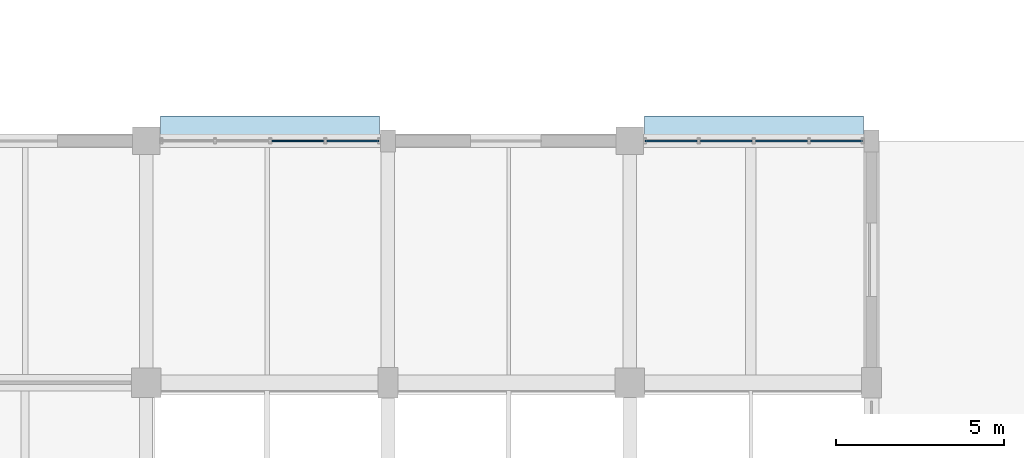
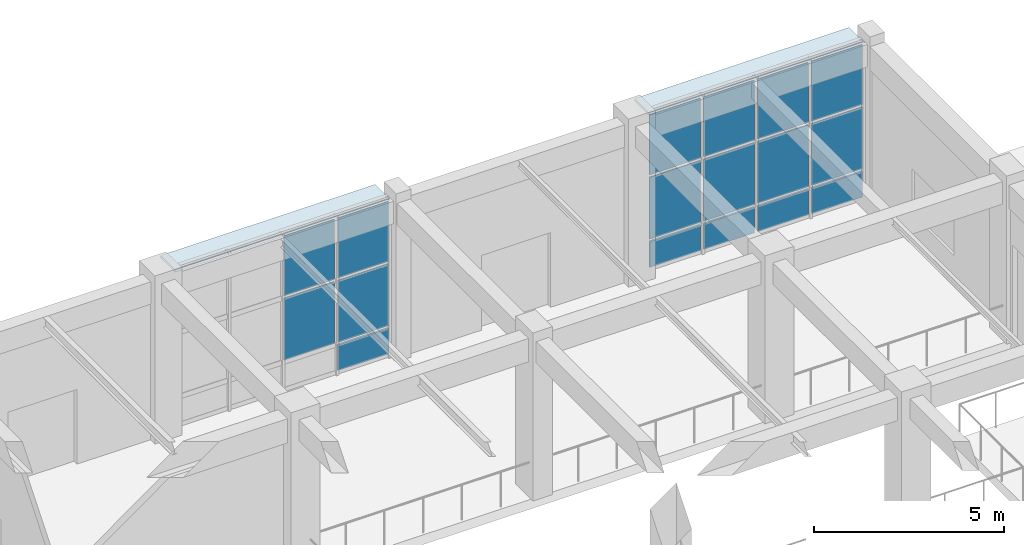
# One storey, part 132 of 160: 19 plates, 2 elements without a shape of their own.
"""IFC4 building model written with IfcOpenShell, lengths in metres."""

from ifc_helpers import new_model, si_unit, direction, frame, origin, origin_2d, place, context, subcontext, project, spatial, rectangle, extrude, material, layer, layer_set, type_object, element, aggregate, save


model = new_model("IFC4")

# Units and contexts
model_context = context("Model", 3, precision=1e-05, world=origin(), true_north=direction((0.0, 1.0)))
body_context = subcontext(model_context, "Body", "Model", "MODEL_VIEW")
ifc_project = project(units=[si_unit("LENGTHUNIT", "METRE"), si_unit("AREAUNIT", "SQUARE_METRE"), si_unit("VOLUMEUNIT", "CUBIC_METRE"), si_unit("PLANEANGLEUNIT", "RADIAN"), si_unit("MASSUNIT", "GRAM", prefix="KILO")], contexts=[model_context])

# Site, building, storey
site_placement = place(None, origin())
site = spatial("IfcSite", under=ifc_project, at=site_placement, CompositionType="ELEMENT")
building_placement = place(site_placement, origin())
building = spatial("IfcBuilding", under=site, at=building_placement, Name="Thalmaran Polytechnic", CompositionType="ELEMENT")
storey_placement = place(building_placement, origin())
storey = spatial("IfcBuildingStorey", under=building, at=storey_placement, Name="L00", CompositionType="ELEMENT", Elevation=0.0)

# Plates
ifc_material_1 = material(Name="Anodised aluminium sun-hood eyebrow", Category="aluminium")
ifc_layer_1 = layer(ifc_material_1, 0.0849609375, Name="Anodised aluminium sun-hood eyebrow")
ifc_layer_set_1 = layer_set([ifc_layer_1], Name="Anodised aluminium sun-hood eyebrow")
plate_type_1 = type_object("IfcPlateType", Name="PT-EB01", PredefinedType="SHEET", material=ifc_layer_set_1)
for number, where, z_axis, x_axis, name in (
    (1, (154.892578125, 122.760009765625, 4.987548828125), (0.0, 0.0, 1.0), (1.0, 0.0, 0.0), "Streamline Sun-Hood Eyebrow L00-CW012"),
    (2, (169.29248046875, 122.760009765625, 4.987548828125), (0.0, 0.0, 1.0), (1.0, 0.0, 0.0), "Streamline Sun-Hood Eyebrow L00-CW013"),
):
    element("IfcPlate", number, at=place(storey_placement, frame(where, z_axis=z_axis, x_axis=x_axis)), inside=storey, type_object=plate_type_1, Name=name, PredefinedType="SHEET", context=body_context, shape_type="SweptSolid", body=[
        extrude(rectangle(XDim=6.52490234375, YDim=0.760009765625, at=origin_2d()), origin(), (0.0, 0.0, 1.0), 0.0849609375),
    ])

# Curtain wall, plates
ifc_material_2 = material(Name="Aluminium 6063-T6", Category="aluminium")
curtain_wall_type = type_object("IfcCurtainWallType", Name="CW-UC01", PredefinedType="USERDEFINED", material=ifc_material_2)
curtain_wall_1_placement = place(storey_placement, origin())
curtain_wall_1 = element("IfcCurtainWall", 3, at=curtain_wall_1_placement, inside=storey, type_object=curtain_wall_type, Name="Curtain Wall CW-L00-012", ObjectType="UNITISED CURTAIN WALL", PredefinedType="USERDEFINED")
ifc_material_3 = material(Name="Solar-control double low-E glass", Category="glass")
ifc_layer_2 = layer(ifc_material_3, 0.035888671875, Name="Solar-control double low-E glass")
ifc_layer_set_2 = layer_set([ifc_layer_2], Name="Solar-control double low-E glass")
plate_type_2 = type_object("IfcPlateType", Name="PT-GL03", PredefinedType="CURTAIN_PANEL", material=ifc_layer_set_2)
plate_1_placement = place(storey_placement, frame((155.713134765625, 122.39990234375, 1.0), z_axis=(0.0, 0.0, 1.0), x_axis=(1.0, 0.0, 0.0)))
plate_1 = element("IfcPlate", 4, at=plate_1_placement, type_object=plate_type_2, Name="CW-L00-012 Vision Panel 3-2", PredefinedType="CURTAIN_PANEL", context=body_context, shape_type="SweptSolid", body=[
    extrude(rectangle(XDim=1.541259765625, YDim=0.035888671875, at=origin_2d()), origin(), (0.0, 0.0, 1.0), 1.985107421875),
])
plate_2_placement = place(storey_placement, frame((155.713134765625, 122.39990234375, 3.06494140625), z_axis=(0.0, 0.0, 1.0), x_axis=(1.0, 0.0, 0.0)))
plate_2 = element("IfcPlate", 5, at=plate_2_placement, type_object=plate_type_2, Name="CW-L00-012 Vision Panel 3-3", PredefinedType="CURTAIN_PANEL", context=body_context, shape_type="SweptSolid", body=[
    extrude(rectangle(XDim=1.541259765625, YDim=0.035888671875, at=origin_2d()), origin(), (0.0, 0.0, 1.0), 1.925048828125),
])
plate_3_placement = place(storey_placement, frame((157.3544921875, 122.39990234375, 1.0), z_axis=(0.0, 0.0, 1.0), x_axis=(1.0, 0.0, 0.0)))
plate_3 = element("IfcPlate", 6, at=plate_3_placement, type_object=plate_type_2, Name="CW-L00-012 Vision Panel 4-2", PredefinedType="CURTAIN_PANEL", context=body_context, shape_type="SweptSolid", body=[
    extrude(rectangle(XDim=1.541259765625, YDim=0.035888671875, at=origin_2d()), origin(), (0.0, 0.0, 1.0), 1.985107421875),
])
plate_4_placement = place(storey_placement, frame((157.3544921875, 122.39990234375, 3.06494140625), z_axis=(0.0, 0.0, 1.0), x_axis=(1.0, 0.0, 0.0)))
plate_4 = element("IfcPlate", 7, at=plate_4_placement, type_object=plate_type_2, Name="CW-L00-012 Vision Panel 4-3", PredefinedType="CURTAIN_PANEL", context=body_context, shape_type="SweptSolid", body=[
    extrude(rectangle(XDim=1.541259765625, YDim=0.035888671875, at=origin_2d()), origin(), (0.0, 0.0, 1.0), 1.925048828125),
])

curtain_wall_2_placement = place(storey_placement, origin())
curtain_wall_2 = element("IfcCurtainWall", 8, at=curtain_wall_2_placement, inside=storey, type_object=curtain_wall_type, Name="Curtain Wall CW-L00-013", ObjectType="UNITISED CURTAIN WALL", PredefinedType="USERDEFINED")
ifc_layer_3 = layer(ifc_material_3, 0.035888671875, Name="Solar-control double low-E glass")
ifc_layer_set_3 = layer_set([ifc_layer_3], Name="Solar-control double low-E glass")
plate_type_3 = type_object("IfcPlateType", Name="PT-GL04", PredefinedType="CURTAIN_PANEL", material=ifc_layer_set_3)
plate_5_placement = place(storey_placement, frame((166.83056640625, 122.39990234375, 1.0), z_axis=(0.0, 0.0, 1.0), x_axis=(1.0, 0.0, 0.0)))
plate_5 = element("IfcPlate", 9, at=plate_5_placement, type_object=plate_type_3, Name="CW-L00-013 Vision Panel 1-2", PredefinedType="CURTAIN_PANEL", context=body_context, shape_type="SweptSolid", body=[
    extrude(rectangle(XDim=1.541259765625, YDim=0.035888671875, at=origin_2d()), origin(), (0.0, 0.0, 1.0), 1.985107421875),
])
plate_6_placement = place(storey_placement, frame((166.83056640625, 122.39990234375, 3.06494140625), z_axis=(0.0, 0.0, 1.0), x_axis=(1.0, 0.0, 0.0)))
plate_6 = element("IfcPlate", 10, at=plate_6_placement, type_object=plate_type_3, Name="CW-L00-013 Vision Panel 1-3", PredefinedType="CURTAIN_PANEL", context=body_context, shape_type="SweptSolid", body=[
    extrude(rectangle(XDim=1.541259765625, YDim=0.035888671875, at=origin_2d()), origin(), (0.0, 0.0, 1.0), 1.925048828125),
])
plate_7_placement = place(storey_placement, frame((168.471923828125, 122.39990234375, 1.0), z_axis=(0.0, 0.0, 1.0), x_axis=(1.0, 0.0, 0.0)))
plate_7 = element("IfcPlate", 11, at=plate_7_placement, type_object=plate_type_3, Name="CW-L00-013 Vision Panel 2-2", PredefinedType="CURTAIN_PANEL", context=body_context, shape_type="SweptSolid", body=[
    extrude(rectangle(XDim=1.541259765625, YDim=0.035888671875, at=origin_2d()), origin(), (0.0, 0.0, 1.0), 1.985107421875),
])
plate_8_placement = place(storey_placement, frame((168.471923828125, 122.39990234375, 3.06494140625), z_axis=(0.0, 0.0, 1.0), x_axis=(1.0, 0.0, 0.0)))
plate_8 = element("IfcPlate", 12, at=plate_8_placement, type_object=plate_type_3, Name="CW-L00-013 Vision Panel 2-3", PredefinedType="CURTAIN_PANEL", context=body_context, shape_type="SweptSolid", body=[
    extrude(rectangle(XDim=1.541259765625, YDim=0.035888671875, at=origin_2d()), origin(), (0.0, 0.0, 1.0), 1.925048828125),
])
plate_9_placement = place(storey_placement, frame((170.113037109375, 122.39990234375, 1.0), z_axis=(0.0, 0.0, 1.0), x_axis=(1.0, 0.0, 0.0)))
plate_9 = element("IfcPlate", 13, at=plate_9_placement, type_object=plate_type_3, Name="CW-L00-013 Vision Panel 3-2", PredefinedType="CURTAIN_PANEL", context=body_context, shape_type="SweptSolid", body=[
    extrude(rectangle(XDim=1.541259765625, YDim=0.035888671875, at=origin_2d()), origin(), (0.0, 0.0, 1.0), 1.985107421875),
])
plate_10_placement = place(storey_placement, frame((170.113037109375, 122.39990234375, 3.06494140625), z_axis=(0.0, 0.0, 1.0), x_axis=(1.0, 0.0, 0.0)))
plate_10 = element("IfcPlate", 14, at=plate_10_placement, type_object=plate_type_3, Name="CW-L00-013 Vision Panel 3-3", PredefinedType="CURTAIN_PANEL", context=body_context, shape_type="SweptSolid", body=[
    extrude(rectangle(XDim=1.541259765625, YDim=0.035888671875, at=origin_2d()), origin(), (0.0, 0.0, 1.0), 1.925048828125),
])
plate_11_placement = place(storey_placement, frame((171.75439453125, 122.39990234375, 1.0), z_axis=(0.0, 0.0, 1.0), x_axis=(1.0, 0.0, 0.0)))
plate_11 = element("IfcPlate", 15, at=plate_11_placement, type_object=plate_type_3, Name="CW-L00-013 Vision Panel 4-2", PredefinedType="CURTAIN_PANEL", context=body_context, shape_type="SweptSolid", body=[
    extrude(rectangle(XDim=1.541259765625, YDim=0.035888671875, at=origin_2d()), origin(), (0.0, 0.0, 1.0), 1.985107421875),
])
plate_12_placement = place(storey_placement, frame((171.75439453125, 122.39990234375, 3.06494140625), z_axis=(0.0, 0.0, 1.0), x_axis=(1.0, 0.0, 0.0)))
plate_12 = element("IfcPlate", 16, at=plate_12_placement, type_object=plate_type_3, Name="CW-L00-013 Vision Panel 4-3", PredefinedType="CURTAIN_PANEL", context=body_context, shape_type="SweptSolid", body=[
    extrude(rectangle(XDim=1.541259765625, YDim=0.035888671875, at=origin_2d()), origin(), (0.0, 0.0, 1.0), 1.925048828125),
])

# Plate
ifc_material_4 = material(Name="Insulated anodised aluminium spandrel", Category="aluminium")
ifc_layer_4 = layer(ifc_material_4, 0.06005859375, Name="Insulated anodised aluminium spandrel")
ifc_layer_set_4 = layer_set([ifc_layer_4], Name="Insulated anodised aluminium spandrel")
plate_type_4 = type_object("IfcPlateType", Name="PT-SP01", PredefinedType="CURTAIN_PANEL", material=ifc_layer_set_4)
plate_13_placement = place(storey_placement, frame((157.3544921875, 122.39990234375, 0.10009765625), z_axis=(0.0, 0.0, 1.0), x_axis=(1.0, 0.0, 0.0)))
plate_13 = element("IfcPlate", 17, at=plate_13_placement, type_object=plate_type_4, Name="CW-L00-012 Spandrel Panel 4-1", PredefinedType="CURTAIN_PANEL", context=body_context, shape_type="SweptSolid", body=[
    extrude(rectangle(XDim=1.541259765625, YDim=0.06005859375, at=origin_2d()), origin(), (0.0, 0.0, 1.0), 0.820068359375),
])

aggregate(curtain_wall_1, [plate_1, plate_2, plate_13, plate_3, plate_4])

ifc_layer_5 = layer(ifc_material_4, 0.06005859375, Name="Insulated anodised aluminium spandrel")
ifc_layer_set_5 = layer_set([ifc_layer_5], Name="Insulated anodised aluminium spandrel")
plate_type_5 = type_object("IfcPlateType", Name="PT-SP02", PredefinedType="CURTAIN_PANEL", material=ifc_layer_set_5)
plate_14_placement = place(storey_placement, frame((166.83056640625, 122.39990234375, 0.10009765625), z_axis=(0.0, 0.0, 1.0), x_axis=(1.0, 0.0, 0.0)))
plate_14 = element("IfcPlate", 18, at=plate_14_placement, type_object=plate_type_5, Name="CW-L00-013 Spandrel Panel 1-1", PredefinedType="CURTAIN_PANEL", context=body_context, shape_type="SweptSolid", body=[
    extrude(rectangle(XDim=1.541259765625, YDim=0.06005859375, at=origin_2d()), origin(), (0.0, 0.0, 1.0), 0.820068359375),
])

plate_15_placement = place(storey_placement, frame((168.471923828125, 122.39990234375, 0.10009765625), z_axis=(0.0, 0.0, 1.0), x_axis=(1.0, 0.0, 0.0)))
plate_15 = element("IfcPlate", 19, at=plate_15_placement, type_object=plate_type_5, Name="CW-L00-013 Spandrel Panel 2-1", PredefinedType="CURTAIN_PANEL", context=body_context, shape_type="SweptSolid", body=[
    extrude(rectangle(XDim=1.541259765625, YDim=0.06005859375, at=origin_2d()), origin(), (0.0, 0.0, 1.0), 0.820068359375),
])

plate_16_placement = place(storey_placement, frame((170.113037109375, 122.39990234375, 0.10009765625), z_axis=(0.0, 0.0, 1.0), x_axis=(1.0, 0.0, 0.0)))
plate_16 = element("IfcPlate", 20, at=plate_16_placement, type_object=plate_type_5, Name="CW-L00-013 Spandrel Panel 3-1", PredefinedType="CURTAIN_PANEL", context=body_context, shape_type="SweptSolid", body=[
    extrude(rectangle(XDim=1.541259765625, YDim=0.06005859375, at=origin_2d()), origin(), (0.0, 0.0, 1.0), 0.820068359375),
])

plate_17_placement = place(storey_placement, frame((171.75439453125, 122.39990234375, 0.10009765625), z_axis=(0.0, 0.0, 1.0), x_axis=(1.0, 0.0, 0.0)))
plate_17 = element("IfcPlate", 21, at=plate_17_placement, type_object=plate_type_5, Name="CW-L00-013 Spandrel Panel 4-1", PredefinedType="CURTAIN_PANEL", context=body_context, shape_type="SweptSolid", body=[
    extrude(rectangle(XDim=1.541259765625, YDim=0.06005859375, at=origin_2d()), origin(), (0.0, 0.0, 1.0), 0.820068359375),
])

aggregate(curtain_wall_2, [plate_14, plate_5, plate_6, plate_15, plate_7, plate_8, plate_16, plate_9, plate_10, plate_17, plate_11, plate_12])

save(model, "model.ifc")
